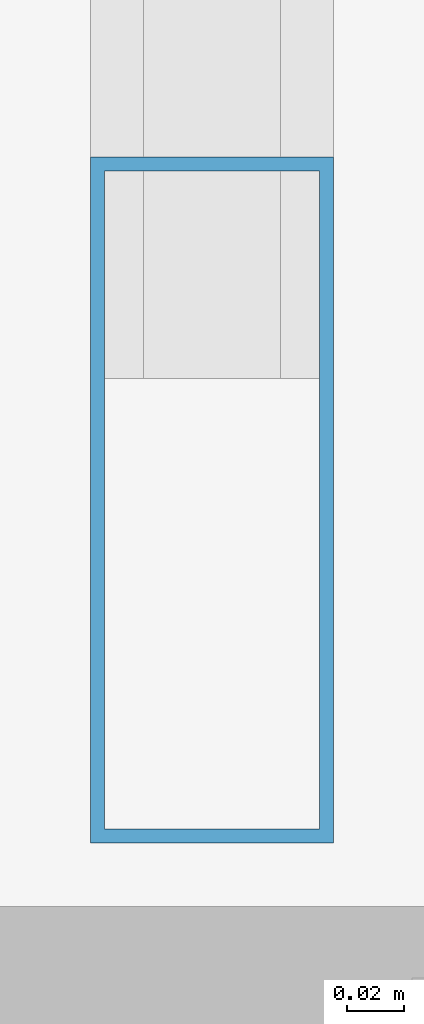
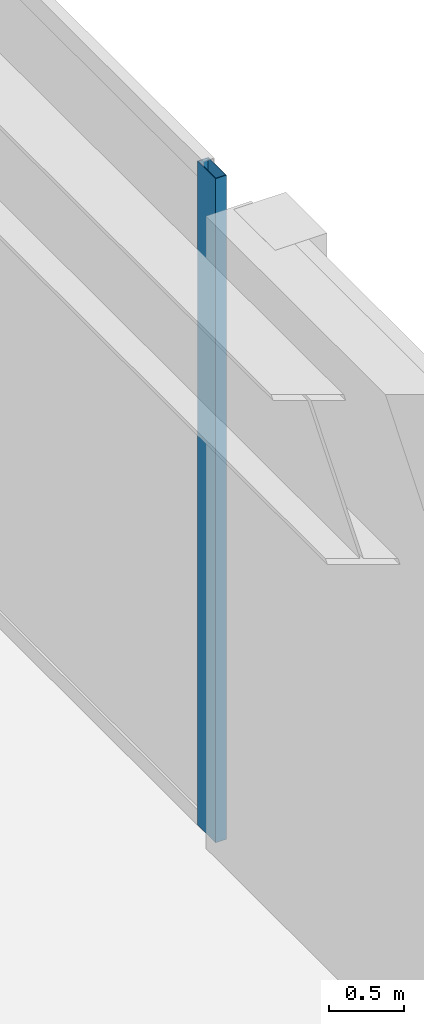
# One storey, part 29 of 48: 1 member, 1 element without a shape of its own.
"""IFC4 building model written with IfcOpenShell, lengths in metres."""

from ifc_helpers import new_model, si_unit, direction, frame, origin, origin_2d, place, context, subcontext, project, spatial, hollow_rectangle, extrude, material, material_profile, profile_set, type_object, element, aggregate, save


model = new_model("IFC4")

# Units and contexts
model_context = context("Model", 3, precision=1e-05, world=origin(), true_north=direction((0.0, 1.0)))
body_context = subcontext(model_context, "Body", "Model", "MODEL_VIEW")
ifc_project = project(units=[si_unit("LENGTHUNIT", "METRE"), si_unit("AREAUNIT", "SQUARE_METRE"), si_unit("VOLUMEUNIT", "CUBIC_METRE"), si_unit("PLANEANGLEUNIT", "RADIAN"), si_unit("MASSUNIT", "GRAM", prefix="KILO")], contexts=[model_context])

# Site, building, storey
site_placement = place(None, origin())
site = spatial("IfcSite", under=ifc_project, at=site_placement, CompositionType="ELEMENT")
building_placement = place(site_placement, origin())
building = spatial("IfcBuilding", under=site, at=building_placement, Name="Tashvorn Skyway Center", CompositionType="ELEMENT")
storey_placement = place(building_placement, frame((0.0, 0.0, 10.199951171875)))
storey = spatial("IfcBuildingStorey", under=building, at=storey_placement, Name="L02", CompositionType="ELEMENT", Elevation=10.199951171875)

# Curtain wall, member
ifc_material = material(Name="Thermally broken bronze-anodized aluminium 6063-T6", Category="aluminium")
curtain_wall_type = type_object("IfcCurtainWallType", Name="CW-CW-Z1", PredefinedType="NOTDEFINED", material=ifc_material)
curtain_wall_placement = place(storey_placement, origin())
curtain_wall = element("IfcCurtainWall", 1, at=curtain_wall_placement, inside=storey, type_object=curtain_wall_type, Name="L02 East Station Concourse Curtain Wall", PredefinedType="NOTDEFINED")
ifc_material_profile = material_profile(ifc_material, hollow_rectangle(XDim=0.0849609375, YDim=0.239990234375, WallThickness=0.0048828125, at=origin_2d()), Name="ALU-MULL-85x240")
ifc_profile_set = profile_set([ifc_material_profile], Name="Thermally broken bronze-anodized aluminium 6063-T6")
member_type = type_object("IfcMemberType", Name="CWM-CW-Z1", PredefinedType="MULLION", material=ifc_profile_set)
member_placement = place(storey_placement, frame((143.780029296875, 21.742431640625, 0.0), z_axis=(0.0, 0.0, 1.0), x_axis=(1.0, 0.0, 0.0)))
member = element("IfcMember", 2, at=member_placement, type_object=member_type, Name="CW-Z1 mullion 3", PredefinedType="MULLION", context=body_context, shape_type="SweptSolid", body=[
    extrude(hollow_rectangle(XDim=0.0849609375, YDim=0.239990234375, WallThickness=0.0048828125, at=origin_2d()), origin(), (0.0, 0.0, 1.0), 5.400146484375),
])
aggregate(curtain_wall, [member])

save(model, "model.ifc")
